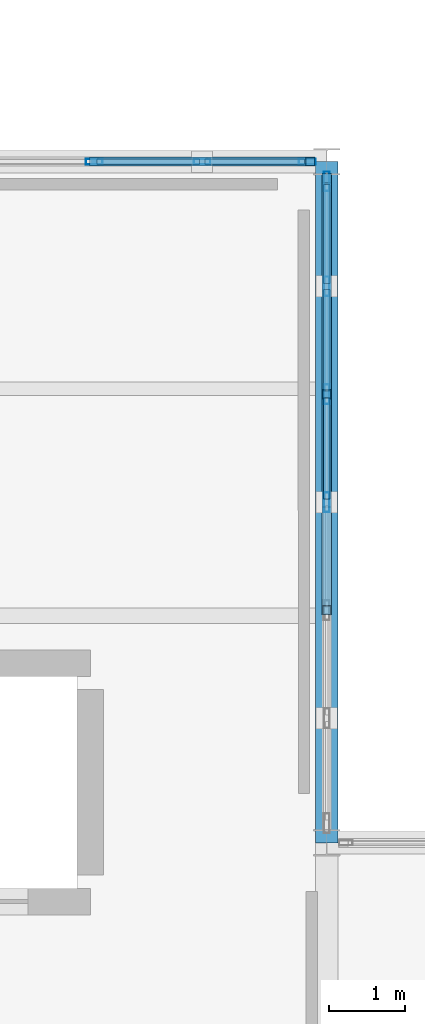
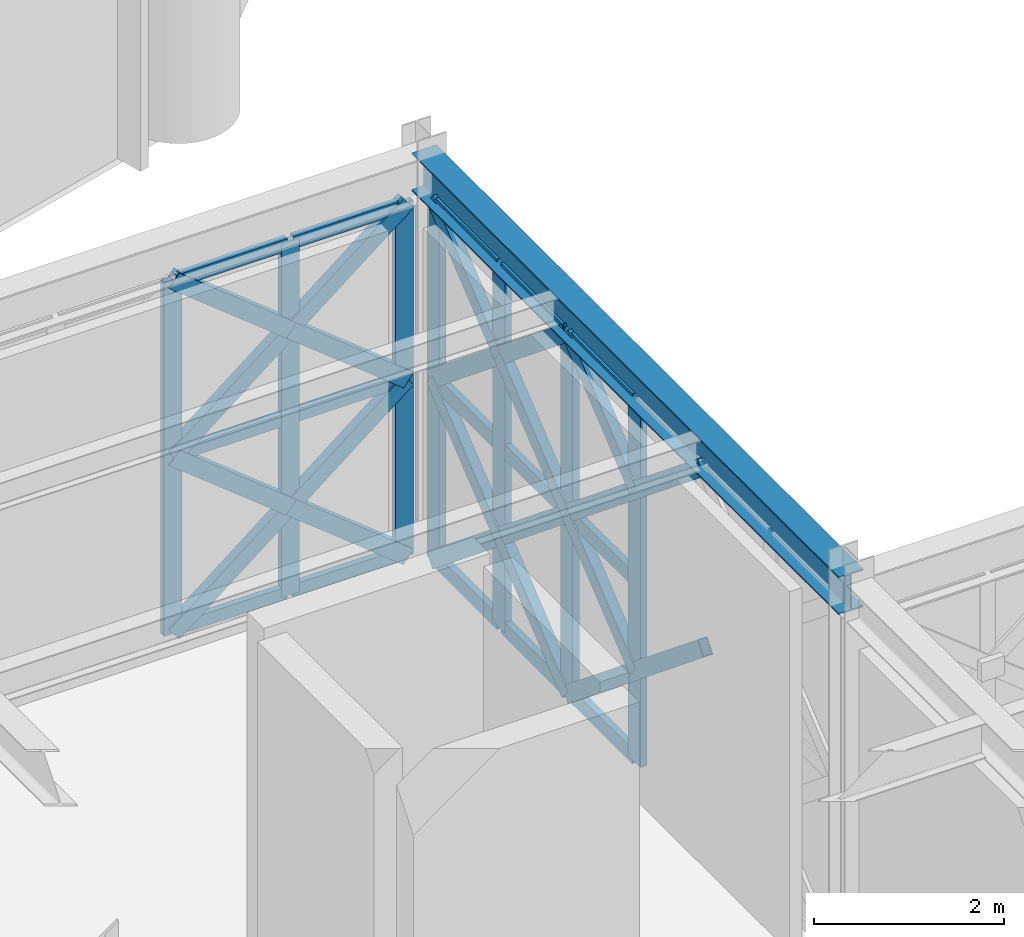
# One storey, part 41 of 166: 38 members, 1 beam, 2 elements without a shape of their own.
"""IFC4 building model written with IfcOpenShell, lengths in metres."""

from ifc_helpers import new_model, si_unit, direction, frame, origin, origin_2d, place, context, subcontext, project, spatial, hollow_rectangle, i_section, extrude, material, material_profile, profile_set, type_object, element, aggregate, save


model = new_model("IFC4")

# Units and contexts
model_context = context("Model", 3, precision=1e-05, world=origin(), true_north=direction((0.0, 1.0)))
body_context = subcontext(model_context, "Body", "Model", "MODEL_VIEW")
ifc_project = project(units=[si_unit("LENGTHUNIT", "METRE"), si_unit("AREAUNIT", "SQUARE_METRE"), si_unit("VOLUMEUNIT", "CUBIC_METRE"), si_unit("PLANEANGLEUNIT", "RADIAN"), si_unit("MASSUNIT", "GRAM", prefix="KILO")], contexts=[model_context])

# Site, building, storey
site_placement = place(None, origin())
site = spatial("IfcSite", under=ifc_project, at=site_placement, CompositionType="ELEMENT")
building_placement = place(site_placement, origin())
building = spatial("IfcBuilding", under=site, at=building_placement, Name="Haizhuo Lancet Aquarium", CompositionType="ELEMENT")
storey_placement = place(building_placement, frame((0.0, 0.0, 5.39990234375)))
storey = spatial("IfcBuildingStorey", under=building, at=storey_placement, Name="L01", CompositionType="ELEMENT", Elevation=5.39990234375)

# Beam
ifc_material_1 = material(Name="Steel S355", Category="steel")
ifc_material_profile_1 = material_profile(ifc_material_1, i_section(OverallWidth=0.300048828125, OverallDepth=0.488037109375, WebThickness=0.010986328125, FlangeThickness=0.01806640625, FilletRadius=0.02392578125, at=origin_2d()), Name="HM 488x300x11x18")
ifc_profile_set_1 = profile_set([ifc_material_profile_1], Name="Steel S355")
beam_type = type_object("IfcBeamType", Name="BM-ST-HM488", PredefinedType="BEAM", material=ifc_profile_set_1)
beam_placement = place(storey_placement, frame((9.0, -36.0, 4.89599609375), z_axis=(0.0, 1.0, 0.0), x_axis=(-1.0, 0.0, 0.0)))
element("IfcBeam", 1, at=beam_placement, inside=storey, type_object=beam_type, Name="L01 V4 primary girder BM-L01-V4-024", PredefinedType="BEAM", context=body_context, shape_type="SweptSolid", body=[
    extrude(i_section(OverallWidth=0.300048828125, OverallDepth=0.488037109375, WebThickness=0.010986328125, FlangeThickness=0.01806640625, FilletRadius=0.02392578125, at=origin_2d()), origin(), (0.0, 0.0, 1.0), 9.0),
])

# Curtain wall, members
ifc_material_2 = material(Name="Aluminium 6063-T6", Category="aluminium")
curtain_wall_type_1 = type_object("IfcCurtainWallType", Name="CWO-8560x4550", PredefinedType="NOTDEFINED", material=ifc_material_2)
curtain_wall_1_placement = place(storey_placement, origin())
curtain_wall_1 = element("IfcCurtainWall", 2, at=curtain_wall_1_placement, inside=storey, type_object=curtain_wall_type_1, Name="L01 curtain wall CW-V4-L01-092", PredefinedType="NOTDEFINED")
ifc_material_profile_2 = material_profile(ifc_material_2, hollow_rectangle(XDim=0.074951171875, YDim=0.219970703125, WallThickness=0.0048828125, at=origin_2d()), Name="ALU-M 75x220x5")
ifc_profile_set_2 = profile_set([ifc_material_profile_2], Name="Aluminium 6063-T6")
member_type_1 = type_object("IfcMemberType", Name="CW-MUL-2", PredefinedType="MULLION", material=ifc_profile_set_2)
member_1_placement = place(storey_placement, frame((5.927001953125, -27.0, 0.0), z_axis=(0.0, 0.0, 1.0), x_axis=(0.0, 1.0, 0.0)))
member_1 = element("IfcMember", 3, at=member_1_placement, type_object=member_type_1, Name="CWO-85x45 mullion 5", PredefinedType="MULLION", context=body_context, shape_type="SweptSolid", body=[
    extrude(hollow_rectangle(XDim=0.074951171875, YDim=0.219970703125, WallThickness=0.0048828125, at=origin_2d()), origin(), (0.0, 0.0, 1.0), 4.552001953125),
])
member_2_placement = place(storey_placement, frame((7.35302734375, -27.0, 0.0), z_axis=(0.0, 0.0, 1.0), x_axis=(0.0, 1.0, 0.0)))
member_2 = element("IfcMember", 4, at=member_2_placement, type_object=member_type_1, Name="CWO-85x45 mullion 6", PredefinedType="MULLION", context=body_context, shape_type="SweptSolid", body=[
    extrude(hollow_rectangle(XDim=0.074951171875, YDim=0.219970703125, WallThickness=0.0048828125, at=origin_2d()), origin(), (0.0, 0.0, 1.0), 4.552001953125),
])
member_3_placement = place(storey_placement, frame((8.741943359375, -27.0, 0.0), z_axis=(0.0, 0.0, 1.0), x_axis=(0.0, 1.0, 0.0)))
member_3 = element("IfcMember", 5, at=member_3_placement, type_object=member_type_1, Name="CWO-85x45 mullion 7", PredefinedType="MULLION", context=body_context, shape_type="SweptSolid", body=[
    extrude(hollow_rectangle(XDim=0.074951171875, YDim=0.219970703125, WallThickness=0.0048828125, at=origin_2d()), origin(), (0.0, 0.0, 1.0), 4.552001953125),
])

curtain_wall_type_2 = type_object("IfcCurtainWallType", Name="CWO-8560x4650", PredefinedType="NOTDEFINED", material=ifc_material_2)
curtain_wall_2_placement = place(storey_placement, origin())
curtain_wall_2 = element("IfcCurtainWall", 6, at=curtain_wall_2_placement, inside=storey, type_object=curtain_wall_type_2, Name="L01 curtain wall CW-V4-L01-093", PredefinedType="NOTDEFINED")
ifc_material_profile_3 = material_profile(ifc_material_2, hollow_rectangle(XDim=0.080078125, YDim=0.260009765625, WallThickness=0.0048828125, at=origin_2d()), Name="ALU-M 80x260x5")
ifc_profile_set_3 = profile_set([ifc_material_profile_3], Name="Aluminium 6063-T6")
member_type_2 = type_object("IfcMemberType", Name="CW-MUL-3", PredefinedType="MULLION", material=ifc_profile_set_3)
member_4_placement = place(storey_placement, frame((9.0, -27.260009765625, 0.0), z_axis=(0.0, 0.0, 1.0), x_axis=(1.0, 0.0, 0.0)))
member_4 = element("IfcMember", 7, at=member_4_placement, type_object=member_type_2, Name="CWO-85x46 mullion 1", PredefinedType="MULLION", context=body_context, shape_type="SweptSolid", body=[
    extrude(hollow_rectangle(XDim=0.080078125, YDim=0.260009765625, WallThickness=0.0048828125, at=origin_2d()), origin(), (0.0, 0.0, 1.0), 4.652099609375),
])
member_5_placement = place(storey_placement, frame((9.0, -28.64697265625, 0.0), z_axis=(0.0, 0.0, 1.0), x_axis=(1.0, 0.0, 0.0)))
member_5 = element("IfcMember", 8, at=member_5_placement, type_object=member_type_2, Name="CWO-85x46 mullion 2", PredefinedType="MULLION", context=body_context, shape_type="SweptSolid", body=[
    extrude(hollow_rectangle(XDim=0.080078125, YDim=0.260009765625, WallThickness=0.0048828125, at=origin_2d()), origin(), (0.0, 0.0, 1.0), 4.652099609375),
])
member_6_placement = place(storey_placement, frame((9.0, -30.072998046875, 0.0), z_axis=(0.0, 0.0, 1.0), x_axis=(1.0, 0.0, 0.0)))
member_6 = element("IfcMember", 9, at=member_6_placement, type_object=member_type_2, Name="CWO-85x46 mullion 3", PredefinedType="MULLION", context=body_context, shape_type="SweptSolid", body=[
    extrude(hollow_rectangle(XDim=0.080078125, YDim=0.260009765625, WallThickness=0.0048828125, at=origin_2d()), origin(), (0.0, 0.0, 1.0), 4.652099609375),
])
member_7_placement = place(storey_placement, frame((9.0, -31.5, 0.0), z_axis=(0.0, 0.0, 1.0), x_axis=(1.0, 0.0, 0.0)))
member_7 = element("IfcMember", 10, at=member_7_placement, type_object=member_type_2, Name="CWO-85x46 mullion 4", PredefinedType="MULLION", context=body_context, shape_type="SweptSolid", body=[
    extrude(hollow_rectangle(XDim=0.080078125, YDim=0.260009765625, WallThickness=0.0048828125, at=origin_2d()), origin(), (0.0, 0.0, 1.0), 4.652099609375),
])

# Member
ifc_material_profile_4 = material_profile(ifc_material_2, hollow_rectangle(XDim=0.074951171875, YDim=0.159912109375, WallThickness=0.00390625, at=origin_2d()), Name="ALU-T 75x160x4")
ifc_profile_set_4 = profile_set([ifc_material_profile_4], Name="Aluminium 6063-T6")
member_type_3 = type_object("IfcMemberType", Name="CW-TRN-2", PredefinedType="NOTDEFINED", material=ifc_profile_set_4)
member_8_placement = place(storey_placement, frame((5.964111328125, -27.0, 0.0380859375), z_axis=(1.0, 0.0, 0.0), x_axis=(0.0, 1.0, 0.0)))
member_8 = element("IfcMember", 11, at=member_8_placement, type_object=member_type_3, Name="CWO-85x45 transom 5.1", ObjectType="TRANSOM", PredefinedType="USERDEFINED", context=body_context, shape_type="SweptSolid", body=[
    extrude(hollow_rectangle(XDim=0.074951171875, YDim=0.159912109375, WallThickness=0.00390625, at=origin_2d()), origin(), (0.0, 0.0, 1.0), 1.351806640625),
])

member_9_placement = place(storey_placement, frame((5.964111328125, -27.0, 2.276123046875), z_axis=(1.0, 0.0, 0.0), x_axis=(0.0, 1.0, 0.0)))
member_9 = element("IfcMember", 12, at=member_9_placement, type_object=member_type_3, Name="CWO-85x45 transom 5.2", ObjectType="TRANSOM", PredefinedType="USERDEFINED", context=body_context, shape_type="SweptSolid", body=[
    extrude(hollow_rectangle(XDim=0.074951171875, YDim=0.159912109375, WallThickness=0.00390625, at=origin_2d()), origin(), (0.0, 0.0, 1.0), 1.351806640625),
])

member_10_placement = place(storey_placement, frame((5.964111328125, -27.0, 4.51513671875), z_axis=(1.0, 0.0, 0.0), x_axis=(0.0, 1.0, 0.0)))
member_10 = element("IfcMember", 13, at=member_10_placement, type_object=member_type_3, Name="CWO-85x45 transom 5.3", ObjectType="TRANSOM", PredefinedType="USERDEFINED", context=body_context, shape_type="SweptSolid", body=[
    extrude(hollow_rectangle(XDim=0.074951171875, YDim=0.159912109375, WallThickness=0.00390625, at=origin_2d()), origin(), (0.0, 0.0, 1.0), 1.351806640625),
])

member_11_placement = place(storey_placement, frame((7.39111328125, -27.0, 0.0380859375), z_axis=(1.0, 0.0, 0.0), x_axis=(0.0, 1.0, 0.0)))
member_11 = element("IfcMember", 14, at=member_11_placement, type_object=member_type_3, Name="CWO-85x45 transom 6.1", ObjectType="TRANSOM", PredefinedType="USERDEFINED", context=body_context, shape_type="SweptSolid", body=[
    extrude(hollow_rectangle(XDim=0.074951171875, YDim=0.159912109375, WallThickness=0.00390625, at=origin_2d()), origin(), (0.0, 0.0, 1.0), 1.31396484375),
])

member_12_placement = place(storey_placement, frame((7.39111328125, -27.0, 2.276123046875), z_axis=(1.0, 0.0, 0.0), x_axis=(0.0, 1.0, 0.0)))
member_12 = element("IfcMember", 15, at=member_12_placement, type_object=member_type_3, Name="CWO-85x45 transom 6.2", ObjectType="TRANSOM", PredefinedType="USERDEFINED", context=body_context, shape_type="SweptSolid", body=[
    extrude(hollow_rectangle(XDim=0.074951171875, YDim=0.159912109375, WallThickness=0.00390625, at=origin_2d()), origin(), (0.0, 0.0, 1.0), 1.31396484375),
])

member_13_placement = place(storey_placement, frame((7.39111328125, -27.0, 4.51513671875), z_axis=(1.0, 0.0, 0.0), x_axis=(0.0, 1.0, 0.0)))
member_13 = element("IfcMember", 16, at=member_13_placement, type_object=member_type_3, Name="CWO-85x45 transom 6.3", ObjectType="TRANSOM", PredefinedType="USERDEFINED", context=body_context, shape_type="SweptSolid", body=[
    extrude(hollow_rectangle(XDim=0.074951171875, YDim=0.159912109375, WallThickness=0.00390625, at=origin_2d()), origin(), (0.0, 0.0, 1.0), 1.31396484375),
])

aggregate(curtain_wall_1, [member_1, member_2, member_3, member_8, member_9, member_10, member_11, member_12, member_13])

ifc_material_profile_5 = material_profile(ifc_material_2, hollow_rectangle(XDim=0.080078125, YDim=0.18994140625, WallThickness=0.0048828125, at=origin_2d()), Name="ALU-T 80x190x5")
ifc_profile_set_5 = profile_set([ifc_material_profile_5], Name="Aluminium 6063-T6")
member_type_4 = type_object("IfcMemberType", Name="CW-TRN-3", PredefinedType="NOTDEFINED", material=ifc_profile_set_5)
member_14_placement = place(storey_placement, frame((9.0, -27.300048828125, 0.0400390625), z_axis=(0.0, -1.0, 0.0), x_axis=(1.0, 0.0, 0.0)))
member_14 = element("IfcMember", 17, at=member_14_placement, type_object=member_type_4, Name="CWO-85x46 transom 1.1", ObjectType="TRANSOM", PredefinedType="USERDEFINED", context=body_context, shape_type="SweptSolid", body=[
    extrude(hollow_rectangle(XDim=0.080078125, YDim=0.18994140625, WallThickness=0.0048828125, at=origin_2d()), origin(), (0.0, 0.0, 1.0), 1.306884765625),
])

member_15_placement = place(storey_placement, frame((9.0, -27.300048828125, 2.326171875), z_axis=(0.0, -1.0, 0.0), x_axis=(1.0, 0.0, 0.0)))
member_15 = element("IfcMember", 18, at=member_15_placement, type_object=member_type_4, Name="CWO-85x46 transom 1.2", ObjectType="TRANSOM", PredefinedType="USERDEFINED", context=body_context, shape_type="SweptSolid", body=[
    extrude(hollow_rectangle(XDim=0.080078125, YDim=0.18994140625, WallThickness=0.0048828125, at=origin_2d()), origin(), (0.0, 0.0, 1.0), 1.306884765625),
])

member_16_placement = place(storey_placement, frame((9.0, -27.300048828125, 4.612060546875), z_axis=(0.0, -1.0, 0.0), x_axis=(1.0, 0.0, 0.0)))
member_16 = element("IfcMember", 19, at=member_16_placement, type_object=member_type_4, Name="CWO-85x46 transom 1.3", ObjectType="TRANSOM", PredefinedType="USERDEFINED", context=body_context, shape_type="SweptSolid", body=[
    extrude(hollow_rectangle(XDim=0.080078125, YDim=0.18994140625, WallThickness=0.0048828125, at=origin_2d()), origin(), (0.0, 0.0, 1.0), 1.306884765625),
])

member_17_placement = place(storey_placement, frame((9.0, -28.68701171875, 0.0400390625), z_axis=(0.0, -1.0, 0.0), x_axis=(1.0, 0.0, 0.0)))
member_17 = element("IfcMember", 20, at=member_17_placement, type_object=member_type_4, Name="CWO-85x46 transom 2.1", ObjectType="TRANSOM", PredefinedType="USERDEFINED", context=body_context, shape_type="SweptSolid", body=[
    extrude(hollow_rectangle(XDim=0.080078125, YDim=0.18994140625, WallThickness=0.0048828125, at=origin_2d()), origin(), (0.0, 0.0, 1.0), 1.345947265625),
])

member_18_placement = place(storey_placement, frame((9.0, -28.68701171875, 2.326171875), z_axis=(0.0, -1.0, 0.0), x_axis=(1.0, 0.0, 0.0)))
member_18 = element("IfcMember", 21, at=member_18_placement, type_object=member_type_4, Name="CWO-85x46 transom 2.2", ObjectType="TRANSOM", PredefinedType="USERDEFINED", context=body_context, shape_type="SweptSolid", body=[
    extrude(hollow_rectangle(XDim=0.080078125, YDim=0.18994140625, WallThickness=0.0048828125, at=origin_2d()), origin(), (0.0, 0.0, 1.0), 1.345947265625),
])

member_19_placement = place(storey_placement, frame((9.0, -28.68701171875, 4.612060546875), z_axis=(0.0, -1.0, 0.0), x_axis=(1.0, 0.0, 0.0)))
member_19 = element("IfcMember", 22, at=member_19_placement, type_object=member_type_4, Name="CWO-85x46 transom 2.3", ObjectType="TRANSOM", PredefinedType="USERDEFINED", context=body_context, shape_type="SweptSolid", body=[
    extrude(hollow_rectangle(XDim=0.080078125, YDim=0.18994140625, WallThickness=0.0048828125, at=origin_2d()), origin(), (0.0, 0.0, 1.0), 1.345947265625),
])

member_20_placement = place(storey_placement, frame((9.0, -30.113037109375, 0.0400390625), z_axis=(0.0, -1.0, 0.0), x_axis=(1.0, 0.0, 0.0)))
member_20 = element("IfcMember", 23, at=member_20_placement, type_object=member_type_4, Name="CWO-85x46 transom 3.1", ObjectType="TRANSOM", PredefinedType="USERDEFINED", context=body_context, shape_type="SweptSolid", body=[
    extrude(hollow_rectangle(XDim=0.080078125, YDim=0.18994140625, WallThickness=0.0048828125, at=origin_2d()), origin(), (0.0, 0.0, 1.0), 1.346923828125),
])

member_21_placement = place(storey_placement, frame((9.0, -30.113037109375, 2.326171875), z_axis=(0.0, -1.0, 0.0), x_axis=(1.0, 0.0, 0.0)))
member_21 = element("IfcMember", 24, at=member_21_placement, type_object=member_type_4, Name="CWO-85x46 transom 3.2", ObjectType="TRANSOM", PredefinedType="USERDEFINED", context=body_context, shape_type="SweptSolid", body=[
    extrude(hollow_rectangle(XDim=0.080078125, YDim=0.18994140625, WallThickness=0.0048828125, at=origin_2d()), origin(), (0.0, 0.0, 1.0), 1.346923828125),
])

member_22_placement = place(storey_placement, frame((9.0, -30.113037109375, 4.612060546875), z_axis=(0.0, -1.0, 0.0), x_axis=(1.0, 0.0, 0.0)))
member_22 = element("IfcMember", 25, at=member_22_placement, type_object=member_type_4, Name="CWO-85x46 transom 3.3", ObjectType="TRANSOM", PredefinedType="USERDEFINED", context=body_context, shape_type="SweptSolid", body=[
    extrude(hollow_rectangle(XDim=0.080078125, YDim=0.18994140625, WallThickness=0.0048828125, at=origin_2d()), origin(), (0.0, 0.0, 1.0), 1.346923828125),
])

aggregate(curtain_wall_2, [member_4, member_5, member_6, member_7, member_14, member_15, member_16, member_17, member_18, member_19, member_20, member_21, member_22])

# Members
ifc_material_profile_6 = material_profile(ifc_material_1, hollow_rectangle(XDim=0.1201171875, YDim=0.199951171875, WallThickness=0.008056640625, at=origin_2d()), Name="RHS 120x200x8")
ifc_profile_set_6 = profile_set([ifc_material_profile_6], Name="Steel S355")
member_type_5 = type_object("IfcMemberType", Name="MEM-LB-RHS120x200", PredefinedType="BRACE", material=ifc_profile_set_6)
member_23_placement = place(storey_placement, frame((5.927001953125, -27.0, 0.0), z_axis=(0.781709971476, 0.0, 0.623642141372), x_axis=(0.0, 1.0, 0.0)))
element("IfcMember", 26, at=member_23_placement, inside=storey, type_object=member_type_5, Name="Gothic lancet continuous diagonal brace CW-V4-L01-092 5A", PredefinedType="BRACE", context=body_context, shape_type="SweptSolid", body=[
    extrude(hollow_rectangle(XDim=0.1201171875, YDim=0.199951171875, WallThickness=0.008056640625, at=origin_2d()), origin(), (0.0, 0.0, 1.0), 3.649658203125),
])
member_24_placement = place(storey_placement, frame((8.780029296875, -27.0, 0.0), z_axis=(-0.781781404101, 0.0, 0.623552592972), x_axis=(0.0, -1.0, 0.0)))
element("IfcMember", 27, at=member_24_placement, inside=storey, type_object=member_type_5, Name="Gothic lancet split diagonal brace CW-V4-L01-092 5B1", PredefinedType="BRACE", context=body_context, shape_type="SweptSolid", body=[
    extrude(hollow_rectangle(XDim=0.1201171875, YDim=0.199951171875, WallThickness=0.008056640625, at=origin_2d()), origin(), (0.0, 0.0, 1.0), 1.825439453125),
])
member_25_placement = place(storey_placement, frame((7.35302734375, -27.0, 1.13818359375), z_axis=(-0.781638492735, 0.0, 0.623731726526), x_axis=(0.0, -1.0, 0.0)))
element("IfcMember", 28, at=member_25_placement, inside=storey, type_object=member_type_5, Name="Gothic lancet split diagonal brace CW-V4-L01-092 5B2", PredefinedType="BRACE", context=body_context, shape_type="SweptSolid", body=[
    extrude(hollow_rectangle(XDim=0.1201171875, YDim=0.199951171875, WallThickness=0.008056640625, at=origin_2d()), origin(), (0.0, 0.0, 1.0), 1.824462890625),
])
member_26_placement = place(storey_placement, frame((5.927001953125, -27.0, 2.276123046875), z_axis=(0.781742582524, 0.0, 0.623601262561), x_axis=(0.0, 1.0, 0.0)))
element("IfcMember", 29, at=member_26_placement, inside=storey, type_object=member_type_5, Name="Gothic lancet continuous diagonal brace CW-V4-L01-092 6A", PredefinedType="BRACE", context=body_context, shape_type="SweptSolid", body=[
    extrude(hollow_rectangle(XDim=0.1201171875, YDim=0.199951171875, WallThickness=0.008056640625, at=origin_2d()), origin(), (0.0, 0.0, 1.0), 3.649658203125),
])
member_27_placement = place(storey_placement, frame((8.780029296875, -27.0, 2.276123046875), z_axis=(-0.781846607014, 0.0, 0.623470835807), x_axis=(0.0, -1.0, 0.0)))
element("IfcMember", 30, at=member_27_placement, inside=storey, type_object=member_type_5, Name="Gothic lancet split diagonal brace CW-V4-L01-092 6B1", PredefinedType="BRACE", context=body_context, shape_type="SweptSolid", body=[
    extrude(hollow_rectangle(XDim=0.1201171875, YDim=0.199951171875, WallThickness=0.008056640625, at=origin_2d()), origin(), (0.0, 0.0, 1.0), 1.8251953125),
])
member_28_placement = place(storey_placement, frame((7.35302734375, -27.0, 3.4140625), z_axis=(-0.781638492735, 0.0, 0.623731726526), x_axis=(0.0, -1.0, 0.0)))
element("IfcMember", 31, at=member_28_placement, inside=storey, type_object=member_type_5, Name="Gothic lancet split diagonal brace CW-V4-L01-092 6B2", PredefinedType="BRACE", context=body_context, shape_type="SweptSolid", body=[
    extrude(hollow_rectangle(XDim=0.1201171875, YDim=0.199951171875, WallThickness=0.008056640625, at=origin_2d()), origin(), (0.0, 0.0, 1.0), 1.824462890625),
])
member_29_placement = place(storey_placement, frame((9.0, -27.219970703125, 0.0), z_axis=(0.0, -0.775037676978, 0.631915025351), x_axis=(1.0, 0.0, 0.0)))
element("IfcMember", 32, at=member_29_placement, inside=storey, type_object=member_type_5, Name="Gothic lancet continuous diagonal brace CW-V4-L01-093 1A", PredefinedType="BRACE", context=body_context, shape_type="SweptSolid", body=[
    extrude(hollow_rectangle(XDim=0.1201171875, YDim=0.199951171875, WallThickness=0.008056640625, at=origin_2d()), origin(), (0.0, 0.0, 1.0), 3.68115234375),
])
member_30_placement = place(storey_placement, frame((9.0, -30.072998046875, 0.0), z_axis=(0.0, 0.77514357805, 0.631785116481), x_axis=(-1.0, 0.0, 0.0)))
element("IfcMember", 33, at=member_30_placement, inside=storey, type_object=member_type_5, Name="Gothic lancet split diagonal brace CW-V4-L01-093 1B1", PredefinedType="BRACE", context=body_context, shape_type="SweptSolid", body=[
    extrude(hollow_rectangle(XDim=0.1201171875, YDim=0.199951171875, WallThickness=0.008056640625, at=origin_2d()), origin(), (0.0, 0.0, 1.0), 1.841064453125),
])
member_31_placement = place(storey_placement, frame((9.0, -28.64599609375, 1.1630859375), z_axis=(0.0, 0.774931710564, 0.63204496989), x_axis=(-1.0, 0.0, 0.0)))
element("IfcMember", 34, at=member_31_placement, inside=storey, type_object=member_type_5, Name="Gothic lancet split diagonal brace CW-V4-L01-093 1B2", PredefinedType="BRACE", context=body_context, shape_type="SweptSolid", body=[
    extrude(hollow_rectangle(XDim=0.1201171875, YDim=0.199951171875, WallThickness=0.008056640625, at=origin_2d()), origin(), (0.0, 0.0, 1.0), 1.840087890625),
])
member_32_placement = place(storey_placement, frame((9.0, -27.219970703125, 2.326171875), z_axis=(0.0, -0.775070158992, 0.631875184384), x_axis=(1.0, 0.0, 0.0)))
element("IfcMember", 35, at=member_32_placement, inside=storey, type_object=member_type_5, Name="Gothic lancet continuous diagonal brace CW-V4-L01-093 2A", PredefinedType="BRACE", context=body_context, shape_type="SweptSolid", body=[
    extrude(hollow_rectangle(XDim=0.1201171875, YDim=0.199951171875, WallThickness=0.008056640625, at=origin_2d()), origin(), (0.0, 0.0, 1.0), 3.680908203125),
])
member_33_placement = place(storey_placement, frame((9.0, -30.072998046875, 2.326171875), z_axis=(0.0, 0.775208524913, 0.631705424151), x_axis=(-1.0, 0.0, 0.0)))
element("IfcMember", 36, at=member_33_placement, inside=storey, type_object=member_type_5, Name="Gothic lancet split diagonal brace CW-V4-L01-093 2B1", PredefinedType="BRACE", context=body_context, shape_type="SweptSolid", body=[
    extrude(hollow_rectangle(XDim=0.1201171875, YDim=0.199951171875, WallThickness=0.008056640625, at=origin_2d()), origin(), (0.0, 0.0, 1.0), 1.8408203125),
])
member_34_placement = place(storey_placement, frame((9.0, -28.64599609375, 3.489013671875), z_axis=(0.0, 0.774931710564, 0.63204496989), x_axis=(-1.0, 0.0, 0.0)))
element("IfcMember", 37, at=member_34_placement, inside=storey, type_object=member_type_5, Name="Gothic lancet split diagonal brace CW-V4-L01-093 2B2", PredefinedType="BRACE", context=body_context, shape_type="SweptSolid", body=[
    extrude(hollow_rectangle(XDim=0.1201171875, YDim=0.199951171875, WallThickness=0.008056640625, at=origin_2d()), origin(), (0.0, 0.0, 1.0), 1.840087890625),
])
member_35_placement = place(storey_placement, frame((9.0, -30.072998046875, 0.0), z_axis=(0.0, -0.77514357805, 0.631785116481), x_axis=(1.0, 0.0, 0.0)))
element("IfcMember", 38, at=member_35_placement, inside=storey, type_object=member_type_5, Name="Gothic lancet continuous diagonal brace CW-V4-L01-093 3A", PredefinedType="BRACE", context=body_context, shape_type="SweptSolid", body=[
    extrude(hollow_rectangle(XDim=0.1201171875, YDim=0.199951171875, WallThickness=0.008056640625, at=origin_2d()), origin(), (0.0, 0.0, 1.0), 3.681884765625),
])
member_36_placement = place(storey_placement, frame((9.0, -31.5, 1.1630859375), z_axis=(0.0, 0.77514357805, 0.631785116481), x_axis=(-1.0, 0.0, 0.0)))
element("IfcMember", 39, at=member_36_placement, inside=storey, type_object=member_type_5, Name="Gothic lancet split diagonal brace CW-V4-L01-093 3B2", PredefinedType="BRACE", context=body_context, shape_type="SweptSolid", body=[
    extrude(hollow_rectangle(XDim=0.1201171875, YDim=0.199951171875, WallThickness=0.008056640625, at=origin_2d()), origin(), (0.0, 0.0, 1.0), 1.841064453125),
])
member_37_placement = place(storey_placement, frame((9.0, -30.072998046875, 2.326171875), z_axis=(0.0, -0.775176051146, 0.63174527282), x_axis=(1.0, 0.0, 0.0)))
element("IfcMember", 40, at=member_37_placement, inside=storey, type_object=member_type_5, Name="Gothic lancet continuous diagonal brace CW-V4-L01-093 4A", PredefinedType="BRACE", context=body_context, shape_type="SweptSolid", body=[
    extrude(hollow_rectangle(XDim=0.1201171875, YDim=0.199951171875, WallThickness=0.008056640625, at=origin_2d()), origin(), (0.0, 0.0, 1.0), 3.681640625),
])
member_38_placement = place(storey_placement, frame((9.0, -31.5, 3.489013671875), z_axis=(0.0, 0.77514357805, 0.631785116481), x_axis=(-1.0, 0.0, 0.0)))
element("IfcMember", 41, at=member_38_placement, inside=storey, type_object=member_type_5, Name="Gothic lancet split diagonal brace CW-V4-L01-093 4B2", PredefinedType="BRACE", context=body_context, shape_type="SweptSolid", body=[
    extrude(hollow_rectangle(XDim=0.1201171875, YDim=0.199951171875, WallThickness=0.008056640625, at=origin_2d()), origin(), (0.0, 0.0, 1.0), 1.841064453125),
])

save(model, "model.ifc")
